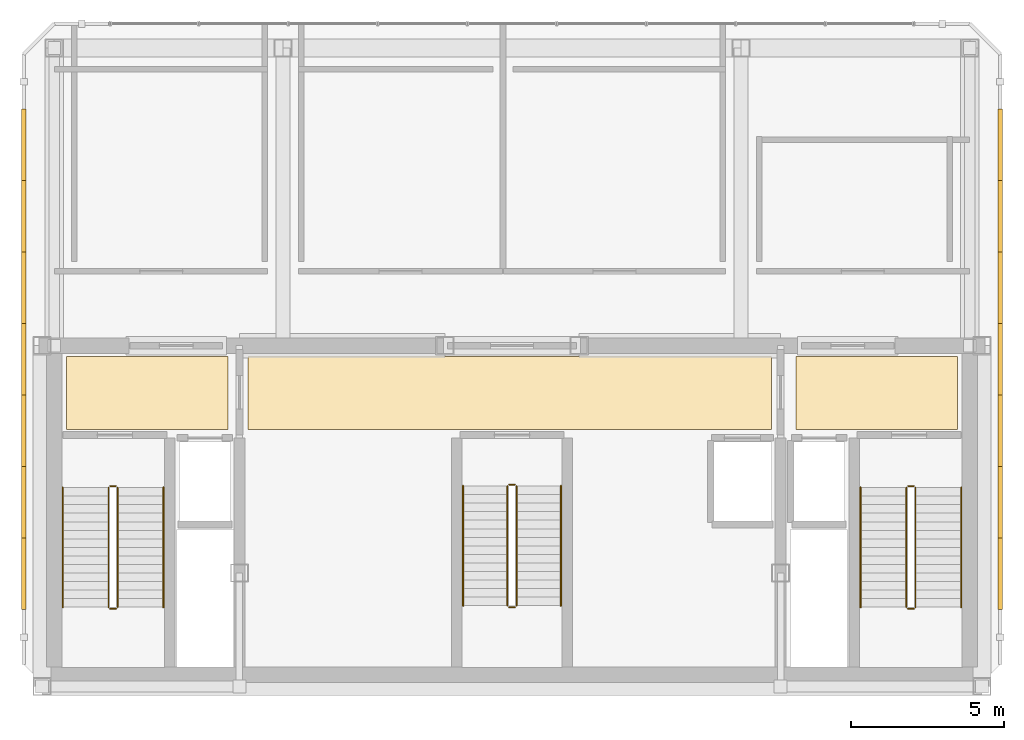
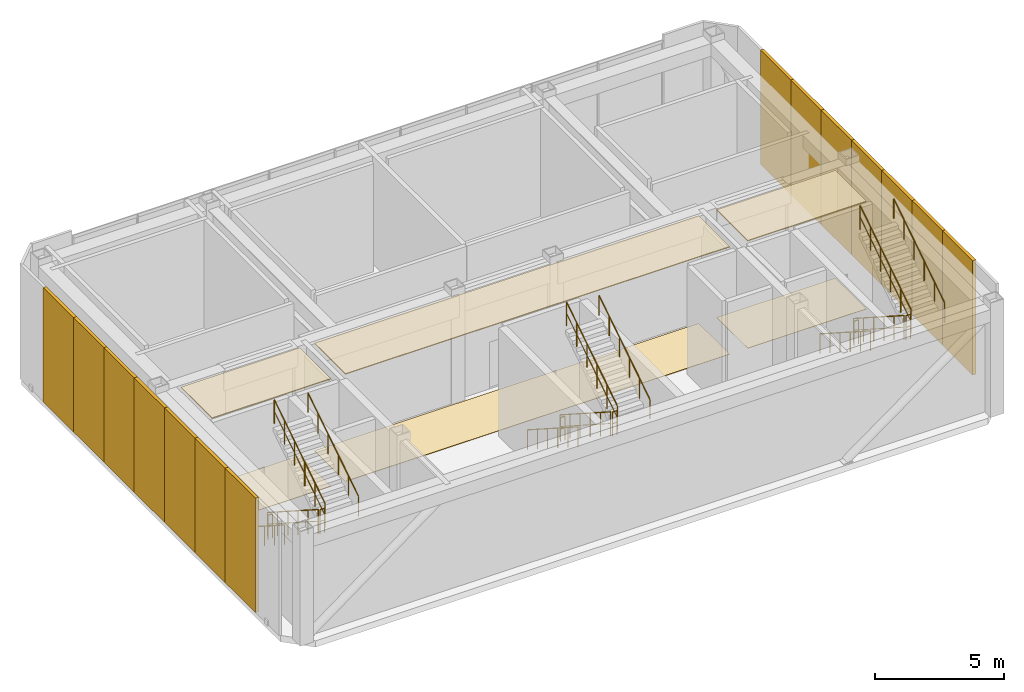
# One storey, part 9 of 9: 18 railings, 14 shading devices, 6 coverings.
"""IFC4 building model written with IfcOpenShell, lengths in metres."""

from ifc_helpers import new_model, si_unit, direction, frame, origin, origin_2d, place, context, subcontext, project, spatial, polyline, rectangle, circle, outline, extrude, material, layer, layer_set, type_object, element, save


model = new_model("IFC4")

# Units and contexts
model_context = context("Model", 3, precision=1e-05, world=origin(), true_north=direction((0.0, 1.0)))
body_context = subcontext(model_context, "Body", "Model", "MODEL_VIEW")
ifc_project = project(units=[si_unit("LENGTHUNIT", "METRE"), si_unit("AREAUNIT", "SQUARE_METRE"), si_unit("VOLUMEUNIT", "CUBIC_METRE"), si_unit("PLANEANGLEUNIT", "RADIAN"), si_unit("MASSUNIT", "GRAM", prefix="KILO")], contexts=[model_context])

# Site, building, storey
site_placement = place(None, origin())
site = spatial("IfcSite", under=ifc_project, at=site_placement, CompositionType="ELEMENT")
building_placement = place(site_placement, origin())
building = spatial("IfcBuilding", under=site, at=building_placement, Name="Ventersveld Concourse Tower", CompositionType="ELEMENT")
storey_placement = place(building_placement, frame((0.0, 0.0, 377.449951171875)))
storey = spatial("IfcBuildingStorey", under=building, at=storey_placement, Name="L92", CompositionType="ELEMENT", Elevation=377.449951171875)

# Coverings
ifc_material_1 = material(Name="Mineral-fibre acoustic ceiling tile", Category="gypsum")
ifc_layer_1 = layer(ifc_material_1, 0.0400390625)
ifc_layer_set_1 = layer_set([ifc_layer_1], Name="Mineral-fibre acoustic ceiling tile")
covering_type_1 = type_object("IfcCoveringType", Name="COV-CEIL-ACOUSTIC", PredefinedType="CEILING", material=ifc_layer_set_1)
covering_1_placement = place(storey_placement, frame((0.0, 0.0, 5.06005859375)))
element("IfcCovering", 1, at=covering_1_placement, inside=storey, type_object=covering_type_1, Name="L92 North Lift Lobby Acoustic Ceiling", PredefinedType="CEILING", context=body_context, shape_type="SweptSolid", body=[
    extrude(outline(polyline([(20.10009765625, 8.699951171875), (37.25, 8.699951171875), (37.25, 11.10009765625), (20.10009765625, 11.10009765625), (20.10009765625, 8.699951171875)])), origin(), (0.0, 0.0, 1.0), 0.0400390625),
])
covering_2_placement = place(storey_placement, frame((0.0, 0.0, 5.06005859375)))
element("IfcCovering", 2, at=covering_2_placement, inside=storey, type_object=covering_type_1, Name="L92 West Firefighting Lobby Acoustic Ceiling", PredefinedType="CEILING", context=body_context, shape_type="SweptSolid", body=[
    extrude(outline(polyline([(14.14990234375, 8.699951171875), (19.449951171875, 8.699951171875), (19.449951171875, 11.10009765625), (14.14990234375, 11.10009765625), (14.14990234375, 8.699951171875)])), origin(), (0.0, 0.0, 1.0), 0.0400390625),
])
covering_3_placement = place(storey_placement, frame((0.0, 0.0, 5.06005859375)))
element("IfcCovering", 3, at=covering_3_placement, inside=storey, type_object=covering_type_1, Name="L92 East Firefighting Lobby Acoustic Ceiling", PredefinedType="CEILING", context=body_context, shape_type="SweptSolid", body=[
    extrude(outline(polyline([(38.050048828125, 8.699951171875), (43.35009765625, 8.699951171875), (43.35009765625, 11.10009765625), (38.050048828125, 11.10009765625), (38.050048828125, 8.699951171875)])), origin(), (0.0, 0.0, 1.0), 0.0400390625),
])
ifc_material_2 = material(Name="Polished Highveld granite terrazzo", Category="masonry")
ifc_layer_2 = layer(ifc_material_2, 0.02001953125)
ifc_layer_set_2 = layer_set([ifc_layer_2], Name="Polished Highveld granite terrazzo")
covering_type_2 = type_object("IfcCoveringType", Name="COV-FLOOR-TERRAZZO", PredefinedType="FLOORING", material=ifc_layer_set_2)
covering_4_placement = place(storey_placement, origin())
element("IfcCovering", 4, at=covering_4_placement, inside=storey, type_object=covering_type_2, Name="L92 North Lift Lobby Terrazzo Flooring", PredefinedType="FLOORING", context=body_context, shape_type="SweptSolid", body=[
    extrude(outline(polyline([(20.10009765625, 8.699951171875), (37.25, 8.699951171875), (37.25, 11.10009765625), (20.10009765625, 11.10009765625), (20.10009765625, 8.699951171875)])), origin(), (0.0, 0.0, 1.0), 0.02001953125),
])
covering_5_placement = place(storey_placement, origin())
element("IfcCovering", 5, at=covering_5_placement, inside=storey, type_object=covering_type_2, Name="L92 West Firefighting Lobby Terrazzo Flooring", PredefinedType="FLOORING", context=body_context, shape_type="SweptSolid", body=[
    extrude(outline(polyline([(14.14990234375, 8.699951171875), (19.449951171875, 8.699951171875), (19.449951171875, 11.10009765625), (14.14990234375, 11.10009765625), (14.14990234375, 8.699951171875)])), origin(), (0.0, 0.0, 1.0), 0.02001953125),
])
covering_6_placement = place(storey_placement, origin())
element("IfcCovering", 6, at=covering_6_placement, inside=storey, type_object=covering_type_2, Name="L92 East Firefighting Lobby Terrazzo Flooring", PredefinedType="FLOORING", context=body_context, shape_type="SweptSolid", body=[
    extrude(outline(polyline([(38.050048828125, 8.699951171875), (43.35009765625, 8.699951171875), (43.35009765625, 11.10009765625), (38.050048828125, 11.10009765625), (38.050048828125, 8.699951171875)])), origin(), (0.0, 0.0, 1.0), 0.02001953125),
])

# Railings
ifc_material_3 = material(Name="Brushed stainless steel 316", Category="steel")
railing_type_1 = type_object("IfcRailingType", Name="GD-BAL-115", PredefinedType="GUARDRAIL", material=ifc_material_3)
railing_1_placement = place(storey_placement, frame((15.530029296875, 6.800048828125, 0.179931640625)))
element("IfcRailing", 7, at=railing_1_placement, inside=storey, type_object=railing_type_1, Name="L92 ST-01 stair guard 1", PredefinedType="GUARDRAIL", context=body_context, shape_type="SweptSolid", body=[
    extrude(circle(Radius=0.02392578125, at=origin_2d()), frame((0.0, 0.0, 1.1259765625), z_axis=(0.0, -0.841186985886, 0.540744352514), x_axis=(1.0, 0.0, 0.0)), (0.0, 0.0, 1.0), 4.660400390625),
    extrude(circle(Radius=0.01611328125, at=origin_2d()), frame((0.0, 0.0, 0.574951171875), z_axis=(0.0, -0.841186985886, 0.540744352514), x_axis=(1.0, 0.0, 0.0)), (0.0, 0.0, 1.0), 4.660400390625),
    extrude(circle(Radius=0.02099609375, at=origin_2d()), origin(), (0.0, 0.0, 1.0), 1.101806640625),
    extrude(circle(Radius=0.02099609375, at=origin_2d()), frame((0.0, -0.783935546875, 0.50390625)), (0.0, 0.0, 1.0), 1.101806640625),
    extrude(circle(Radius=0.02099609375, at=origin_2d()), frame((0.0, -1.568115234375, 1.008056640625)), (0.0, 0.0, 1.0), 1.101806640625),
    extrude(circle(Radius=0.02099609375, at=origin_2d()), frame((0.0, -2.35205078125, 1.511962890625)), (0.0, 0.0, 1.0), 1.101806640625),
    extrude(circle(Radius=0.02099609375, at=origin_2d()), frame((0.0, -3.13623046875, 2.01611328125)), (0.0, 0.0, 1.0), 1.101806640625),
    extrude(circle(Radius=0.02099609375, at=origin_2d()), frame((0.0, -3.920166015625, 2.52001953125)), (0.0, 0.0, 1.0), 1.101806640625),
])
railing_2_placement = place(storey_placement, frame((15.580078125, 2.830078125, 2.699951171875)))
element("IfcRailing", 8, at=railing_2_placement, inside=storey, type_object=railing_type_1, Name="L92 ST-01 stair guard 2", PredefinedType="GUARDRAIL", context=body_context, shape_type="SweptSolid", body=[
    extrude(circle(Radius=0.02392578125, at=origin_2d()), frame((0.0, 0.0, 1.1259765625), z_axis=(1.0, 0.0, 0.0), x_axis=(0.0, 1.0, 0.0)), (0.0, 0.0, 1.0), 0.199951171875),
    extrude(circle(Radius=0.01611328125, at=origin_2d()), frame((0.0, 0.0, 0.574951171875), z_axis=(1.0, 0.0, 0.0), x_axis=(0.0, 1.0, 0.0)), (0.0, 0.0, 1.0), 0.199951171875),
    extrude(circle(Radius=0.02099609375, at=origin_2d()), origin(), (0.0, 0.0, 1.0), 1.101806640625),
    extrude(circle(Radius=0.02099609375, at=origin_2d()), frame((0.199951171875, 0.0, 0.0)), (0.0, 0.0, 1.0), 1.101806640625),
])
railing_3_placement = place(storey_placement, frame((15.830078125, 2.8798828125, 2.880126953125)))
element("IfcRailing", 9, at=railing_3_placement, inside=storey, type_object=railing_type_1, Name="L92 ST-01 stair guard 3", PredefinedType="GUARDRAIL", context=body_context, shape_type="SweptSolid", body=[
    extrude(circle(Radius=0.02392578125, at=origin_2d()), frame((0.0, 0.0, 1.1259765625), z_axis=(0.0, 0.841186985886, 0.540744352514), x_axis=(-1.0, 0.0, 0.0)), (0.0, 0.0, 1.0), 4.660400390625),
    extrude(circle(Radius=0.01611328125, at=origin_2d()), frame((0.0, 0.0, 0.574951171875), z_axis=(0.0, 0.841186985886, 0.540744352514), x_axis=(-1.0, 0.0, 0.0)), (0.0, 0.0, 1.0), 4.660400390625),
    extrude(circle(Radius=0.02099609375, at=origin_2d()), origin(), (0.0, 0.0, 1.0), 1.101806640625),
    extrude(circle(Radius=0.02099609375, at=origin_2d()), frame((0.0, 0.783935546875, 0.50390625)), (0.0, 0.0, 1.0), 1.101806640625),
    extrude(circle(Radius=0.02099609375, at=origin_2d()), frame((0.0, 1.568115234375, 1.008056640625)), (0.0, 0.0, 1.0), 1.101806640625),
    extrude(circle(Radius=0.02099609375, at=origin_2d()), frame((0.0, 2.35205078125, 1.511962890625)), (0.0, 0.0, 1.0), 1.101806640625),
    extrude(circle(Radius=0.02099609375, at=origin_2d()), frame((0.0, 3.13623046875, 2.01611328125)), (0.0, 0.0, 1.0), 1.101806640625),
    extrude(circle(Radius=0.02099609375, at=origin_2d()), frame((0.0, 3.920166015625, 2.52001953125)), (0.0, 0.0, 1.0), 1.101806640625),
])
railing_4_placement = place(storey_placement, frame((15.580078125, 6.85009765625, 0.0)))
element("IfcRailing", 10, at=railing_4_placement, inside=storey, type_object=railing_type_1, Name="L92 ST-01 stair guard 4", PredefinedType="GUARDRAIL", context=body_context, shape_type="SweptSolid", body=[
    extrude(circle(Radius=0.02392578125, at=origin_2d()), frame((0.0, 0.0, 1.1259765625), z_axis=(1.0, 0.0, 0.0), x_axis=(0.0, 1.0, 0.0)), (0.0, 0.0, 1.0), 0.199951171875),
    extrude(circle(Radius=0.01611328125, at=origin_2d()), frame((0.0, 0.0, 0.574951171875), z_axis=(1.0, 0.0, 0.0), x_axis=(0.0, 1.0, 0.0)), (0.0, 0.0, 1.0), 0.199951171875),
    extrude(circle(Radius=0.02099609375, at=origin_2d()), origin(), (0.0, 0.0, 1.0), 1.101806640625),
    extrude(circle(Radius=0.02099609375, at=origin_2d()), frame((0.199951171875, 0.0, 0.0)), (0.0, 0.0, 1.0), 1.101806640625),
])
railing_5_placement = place(storey_placement, frame((41.669921875, 6.800048828125, 0.179931640625)))
element("IfcRailing", 11, at=railing_5_placement, inside=storey, type_object=railing_type_1, Name="L92 ST-02 stair guard 1", PredefinedType="GUARDRAIL", context=body_context, shape_type="SweptSolid", body=[
    extrude(circle(Radius=0.02392578125, at=origin_2d()), frame((0.0, 0.0, 1.1259765625), z_axis=(0.0, -0.841186985886, 0.540744352514), x_axis=(1.0, 0.0, 0.0)), (0.0, 0.0, 1.0), 4.660400390625),
    extrude(circle(Radius=0.01611328125, at=origin_2d()), frame((0.0, 0.0, 0.574951171875), z_axis=(0.0, -0.841186985886, 0.540744352514), x_axis=(1.0, 0.0, 0.0)), (0.0, 0.0, 1.0), 4.660400390625),
    extrude(circle(Radius=0.02099609375, at=origin_2d()), origin(), (0.0, 0.0, 1.0), 1.101806640625),
    extrude(circle(Radius=0.02099609375, at=origin_2d()), frame((0.0, -0.783935546875, 0.50390625)), (0.0, 0.0, 1.0), 1.101806640625),
    extrude(circle(Radius=0.02099609375, at=origin_2d()), frame((0.0, -1.568115234375, 1.008056640625)), (0.0, 0.0, 1.0), 1.101806640625),
    extrude(circle(Radius=0.02099609375, at=origin_2d()), frame((0.0, -2.35205078125, 1.511962890625)), (0.0, 0.0, 1.0), 1.101806640625),
    extrude(circle(Radius=0.02099609375, at=origin_2d()), frame((0.0, -3.13623046875, 2.01611328125)), (0.0, 0.0, 1.0), 1.101806640625),
    extrude(circle(Radius=0.02099609375, at=origin_2d()), frame((0.0, -3.920166015625, 2.52001953125)), (0.0, 0.0, 1.0), 1.101806640625),
])
railing_6_placement = place(storey_placement, frame((41.719970703125, 2.830078125, 2.699951171875)))
element("IfcRailing", 12, at=railing_6_placement, inside=storey, type_object=railing_type_1, Name="L92 ST-02 stair guard 2", PredefinedType="GUARDRAIL", context=body_context, shape_type="SweptSolid", body=[
    extrude(circle(Radius=0.02392578125, at=origin_2d()), frame((0.0, 0.0, 1.1259765625), z_axis=(1.0, 0.0, 0.0), x_axis=(0.0, 1.0, 0.0)), (0.0, 0.0, 1.0), 0.199951171875),
    extrude(circle(Radius=0.01611328125, at=origin_2d()), frame((0.0, 0.0, 0.574951171875), z_axis=(1.0, 0.0, 0.0), x_axis=(0.0, 1.0, 0.0)), (0.0, 0.0, 1.0), 0.199951171875),
    extrude(circle(Radius=0.02099609375, at=origin_2d()), origin(), (0.0, 0.0, 1.0), 1.101806640625),
    extrude(circle(Radius=0.02099609375, at=origin_2d()), frame((0.199951171875, 0.0, 0.0)), (0.0, 0.0, 1.0), 1.101806640625),
])
railing_7_placement = place(storey_placement, frame((41.969970703125, 2.8798828125, 2.880126953125)))
element("IfcRailing", 13, at=railing_7_placement, inside=storey, type_object=railing_type_1, Name="L92 ST-02 stair guard 3", PredefinedType="GUARDRAIL", context=body_context, shape_type="SweptSolid", body=[
    extrude(circle(Radius=0.02392578125, at=origin_2d()), frame((0.0, 0.0, 1.1259765625), z_axis=(0.0, 0.841186985886, 0.540744352514), x_axis=(-1.0, 0.0, 0.0)), (0.0, 0.0, 1.0), 4.660400390625),
    extrude(circle(Radius=0.01611328125, at=origin_2d()), frame((0.0, 0.0, 0.574951171875), z_axis=(0.0, 0.841186985886, 0.540744352514), x_axis=(-1.0, 0.0, 0.0)), (0.0, 0.0, 1.0), 4.660400390625),
    extrude(circle(Radius=0.02099609375, at=origin_2d()), origin(), (0.0, 0.0, 1.0), 1.101806640625),
    extrude(circle(Radius=0.02099609375, at=origin_2d()), frame((0.0, 0.783935546875, 0.50390625)), (0.0, 0.0, 1.0), 1.101806640625),
    extrude(circle(Radius=0.02099609375, at=origin_2d()), frame((0.0, 1.568115234375, 1.008056640625)), (0.0, 0.0, 1.0), 1.101806640625),
    extrude(circle(Radius=0.02099609375, at=origin_2d()), frame((0.0, 2.35205078125, 1.511962890625)), (0.0, 0.0, 1.0), 1.101806640625),
    extrude(circle(Radius=0.02099609375, at=origin_2d()), frame((0.0, 3.13623046875, 2.01611328125)), (0.0, 0.0, 1.0), 1.101806640625),
    extrude(circle(Radius=0.02099609375, at=origin_2d()), frame((0.0, 3.920166015625, 2.52001953125)), (0.0, 0.0, 1.0), 1.101806640625),
])
railing_8_placement = place(storey_placement, frame((41.719970703125, 6.85009765625, 0.0)))
element("IfcRailing", 14, at=railing_8_placement, inside=storey, type_object=railing_type_1, Name="L92 ST-02 stair guard 4", PredefinedType="GUARDRAIL", context=body_context, shape_type="SweptSolid", body=[
    extrude(circle(Radius=0.02392578125, at=origin_2d()), frame((0.0, 0.0, 1.1259765625), z_axis=(1.0, 0.0, 0.0), x_axis=(0.0, 1.0, 0.0)), (0.0, 0.0, 1.0), 0.199951171875),
    extrude(circle(Radius=0.01611328125, at=origin_2d()), frame((0.0, 0.0, 0.574951171875), z_axis=(1.0, 0.0, 0.0), x_axis=(0.0, 1.0, 0.0)), (0.0, 0.0, 1.0), 0.199951171875),
    extrude(circle(Radius=0.02099609375, at=origin_2d()), origin(), (0.0, 0.0, 1.0), 1.101806640625),
    extrude(circle(Radius=0.02099609375, at=origin_2d()), frame((0.199951171875, 0.0, 0.0)), (0.0, 0.0, 1.0), 1.101806640625),
])
railing_9_placement = place(storey_placement, frame((28.60009765625, 6.85009765625, 0.179931640625)))
element("IfcRailing", 15, at=railing_9_placement, inside=storey, type_object=railing_type_1, Name="L92 ST-03 stair guard 1", PredefinedType="GUARDRAIL", context=body_context, shape_type="SweptSolid", body=[
    extrude(circle(Radius=0.02392578125, at=origin_2d()), frame((0.0, 0.0, 1.1259765625), z_axis=(0.0, -0.841186985886, 0.540744352514), x_axis=(1.0, 0.0, 0.0)), (0.0, 0.0, 1.0), 4.660400390625),
    extrude(circle(Radius=0.01611328125, at=origin_2d()), frame((0.0, 0.0, 0.574951171875), z_axis=(0.0, -0.841186985886, 0.540744352514), x_axis=(1.0, 0.0, 0.0)), (0.0, 0.0, 1.0), 4.660400390625),
    extrude(circle(Radius=0.02099609375, at=origin_2d()), origin(), (0.0, 0.0, 1.0), 1.101806640625),
    extrude(circle(Radius=0.02099609375, at=origin_2d()), frame((0.0, -0.783935546875, 0.50390625)), (0.0, 0.0, 1.0), 1.101806640625),
    extrude(circle(Radius=0.02099609375, at=origin_2d()), frame((0.0, -1.568115234375, 1.008056640625)), (0.0, 0.0, 1.0), 1.101806640625),
    extrude(circle(Radius=0.02099609375, at=origin_2d()), frame((0.0, -2.35205078125, 1.511962890625)), (0.0, 0.0, 1.0), 1.101806640625),
    extrude(circle(Radius=0.02099609375, at=origin_2d()), frame((0.0, -3.13623046875, 2.01611328125)), (0.0, 0.0, 1.0), 1.101806640625),
    extrude(circle(Radius=0.02099609375, at=origin_2d()), frame((0.0, -3.920166015625, 2.52001953125)), (0.0, 0.0, 1.0), 1.101806640625),
])
railing_10_placement = place(storey_placement, frame((28.64990234375, 2.8798828125, 2.699951171875)))
element("IfcRailing", 16, at=railing_10_placement, inside=storey, type_object=railing_type_1, Name="L92 ST-03 stair guard 2", PredefinedType="GUARDRAIL", context=body_context, shape_type="SweptSolid", body=[
    extrude(circle(Radius=0.02392578125, at=origin_2d()), frame((0.0, 0.0, 1.1259765625), z_axis=(1.0, 0.0, 0.0), x_axis=(0.0, 1.0, 0.0)), (0.0, 0.0, 1.0), 0.2001953125),
    extrude(circle(Radius=0.01611328125, at=origin_2d()), frame((0.0, 0.0, 0.574951171875), z_axis=(1.0, 0.0, 0.0), x_axis=(0.0, 1.0, 0.0)), (0.0, 0.0, 1.0), 0.2001953125),
    extrude(circle(Radius=0.02099609375, at=origin_2d()), origin(), (0.0, 0.0, 1.0), 1.101806640625),
    extrude(circle(Radius=0.02099609375, at=origin_2d()), frame((0.2001953125, 0.0, 0.0)), (0.0, 0.0, 1.0), 1.101806640625),
])
railing_11_placement = place(storey_placement, frame((28.89990234375, 2.929931640625, 2.880126953125)))
element("IfcRailing", 17, at=railing_11_placement, inside=storey, type_object=railing_type_1, Name="L92 ST-03 stair guard 3", PredefinedType="GUARDRAIL", context=body_context, shape_type="SweptSolid", body=[
    extrude(circle(Radius=0.02392578125, at=origin_2d()), frame((0.0, 0.0, 1.1259765625), z_axis=(0.0, 0.841186985886, 0.540744352514), x_axis=(-1.0, 0.0, 0.0)), (0.0, 0.0, 1.0), 4.660400390625),
    extrude(circle(Radius=0.01611328125, at=origin_2d()), frame((0.0, 0.0, 0.574951171875), z_axis=(0.0, 0.841186985886, 0.540744352514), x_axis=(-1.0, 0.0, 0.0)), (0.0, 0.0, 1.0), 4.660400390625),
    extrude(circle(Radius=0.02099609375, at=origin_2d()), origin(), (0.0, 0.0, 1.0), 1.101806640625),
    extrude(circle(Radius=0.02099609375, at=origin_2d()), frame((0.0, 0.783935546875, 0.50390625)), (0.0, 0.0, 1.0), 1.101806640625),
    extrude(circle(Radius=0.02099609375, at=origin_2d()), frame((0.0, 1.568115234375, 1.008056640625)), (0.0, 0.0, 1.0), 1.101806640625),
    extrude(circle(Radius=0.02099609375, at=origin_2d()), frame((0.0, 2.35205078125, 1.511962890625)), (0.0, 0.0, 1.0), 1.101806640625),
    extrude(circle(Radius=0.02099609375, at=origin_2d()), frame((0.0, 3.13623046875, 2.01611328125)), (0.0, 0.0, 1.0), 1.101806640625),
    extrude(circle(Radius=0.02099609375, at=origin_2d()), frame((0.0, 3.920166015625, 2.52001953125)), (0.0, 0.0, 1.0), 1.101806640625),
])
railing_12_placement = place(storey_placement, frame((28.64990234375, 6.89990234375, 0.0)))
element("IfcRailing", 18, at=railing_12_placement, inside=storey, type_object=railing_type_1, Name="L92 ST-03 stair guard 4", PredefinedType="GUARDRAIL", context=body_context, shape_type="SweptSolid", body=[
    extrude(circle(Radius=0.02392578125, at=origin_2d()), frame((0.0, 0.0, 1.1259765625), z_axis=(1.0, 0.0, 0.0), x_axis=(0.0, 1.0, 0.0)), (0.0, 0.0, 1.0), 0.2001953125),
    extrude(circle(Radius=0.01611328125, at=origin_2d()), frame((0.0, 0.0, 0.574951171875), z_axis=(1.0, 0.0, 0.0), x_axis=(0.0, 1.0, 0.0)), (0.0, 0.0, 1.0), 0.2001953125),
    extrude(circle(Radius=0.02099609375, at=origin_2d()), origin(), (0.0, 0.0, 1.0), 1.101806640625),
    extrude(circle(Radius=0.02099609375, at=origin_2d()), frame((0.2001953125, 0.0, 0.0)), (0.0, 0.0, 1.0), 1.101806640625),
])
railing_type_2 = type_object("IfcRailingType", Name="HR-RMP-095", PredefinedType="HANDRAIL", material=ifc_material_3)
railing_13_placement = place(storey_placement, frame((14.030029296875, 6.800048828125, 0.179931640625)))
element("IfcRailing", 19, at=railing_13_placement, inside=storey, type_object=railing_type_2, Name="L92 ST-01 stair handrail 1", PredefinedType="HANDRAIL", context=body_context, shape_type="SweptSolid", body=[
    extrude(circle(Radius=0.02392578125, at=origin_2d()), frame((0.0, 0.0, 0.92578125), z_axis=(0.0, -0.841186985886, 0.540744352514), x_axis=(1.0, 0.0, 0.0)), (0.0, 0.0, 1.0), 4.660400390625),
    extrude(circle(Radius=0.02099609375, at=origin_2d()), origin(), (0.0, 0.0, 1.0), 0.90185546875),
    extrude(circle(Radius=0.02099609375, at=origin_2d()), frame((0.0, -0.783935546875, 0.50390625)), (0.0, 0.0, 1.0), 0.90185546875),
    extrude(circle(Radius=0.02099609375, at=origin_2d()), frame((0.0, -1.568115234375, 1.008056640625)), (0.0, 0.0, 1.0), 0.90185546875),
    extrude(circle(Radius=0.02099609375, at=origin_2d()), frame((0.0, -2.35205078125, 1.511962890625)), (0.0, 0.0, 1.0), 0.90185546875),
    extrude(circle(Radius=0.02099609375, at=origin_2d()), frame((0.0, -3.13623046875, 2.01611328125)), (0.0, 0.0, 1.0), 0.90185546875),
    extrude(circle(Radius=0.02099609375, at=origin_2d()), frame((0.0, -3.920166015625, 2.52001953125)), (0.0, 0.0, 1.0), 0.90185546875),
])
railing_14_placement = place(storey_placement, frame((17.330078125, 2.8798828125, 2.880126953125)))
element("IfcRailing", 20, at=railing_14_placement, inside=storey, type_object=railing_type_2, Name="L92 ST-01 stair handrail 2", PredefinedType="HANDRAIL", context=body_context, shape_type="SweptSolid", body=[
    extrude(circle(Radius=0.02392578125, at=origin_2d()), frame((0.0, 0.0, 0.92578125), z_axis=(0.0, 0.841186985886, 0.540744352514), x_axis=(-1.0, 0.0, 0.0)), (0.0, 0.0, 1.0), 4.660400390625),
    extrude(circle(Radius=0.02099609375, at=origin_2d()), origin(), (0.0, 0.0, 1.0), 0.90185546875),
    extrude(circle(Radius=0.02099609375, at=origin_2d()), frame((0.0, 0.783935546875, 0.50390625)), (0.0, 0.0, 1.0), 0.90185546875),
    extrude(circle(Radius=0.02099609375, at=origin_2d()), frame((0.0, 1.568115234375, 1.008056640625)), (0.0, 0.0, 1.0), 0.90185546875),
    extrude(circle(Radius=0.02099609375, at=origin_2d()), frame((0.0, 2.35205078125, 1.511962890625)), (0.0, 0.0, 1.0), 0.90185546875),
    extrude(circle(Radius=0.02099609375, at=origin_2d()), frame((0.0, 3.13623046875, 2.01611328125)), (0.0, 0.0, 1.0), 0.90185546875),
    extrude(circle(Radius=0.02099609375, at=origin_2d()), frame((0.0, 3.920166015625, 2.52001953125)), (0.0, 0.0, 1.0), 0.90185546875),
])
railing_15_placement = place(storey_placement, frame((40.169921875, 6.800048828125, 0.179931640625)))
element("IfcRailing", 21, at=railing_15_placement, inside=storey, type_object=railing_type_2, Name="L92 ST-02 stair handrail 1", PredefinedType="HANDRAIL", context=body_context, shape_type="SweptSolid", body=[
    extrude(circle(Radius=0.02392578125, at=origin_2d()), frame((0.0, 0.0, 0.92578125), z_axis=(0.0, -0.841186985886, 0.540744352514), x_axis=(1.0, 0.0, 0.0)), (0.0, 0.0, 1.0), 4.660400390625),
    extrude(circle(Radius=0.02099609375, at=origin_2d()), origin(), (0.0, 0.0, 1.0), 0.90185546875),
    extrude(circle(Radius=0.02099609375, at=origin_2d()), frame((0.0, -0.783935546875, 0.50390625)), (0.0, 0.0, 1.0), 0.90185546875),
    extrude(circle(Radius=0.02099609375, at=origin_2d()), frame((0.0, -1.568115234375, 1.008056640625)), (0.0, 0.0, 1.0), 0.90185546875),
    extrude(circle(Radius=0.02099609375, at=origin_2d()), frame((0.0, -2.35205078125, 1.511962890625)), (0.0, 0.0, 1.0), 0.90185546875),
    extrude(circle(Radius=0.02099609375, at=origin_2d()), frame((0.0, -3.13623046875, 2.01611328125)), (0.0, 0.0, 1.0), 0.90185546875),
    extrude(circle(Radius=0.02099609375, at=origin_2d()), frame((0.0, -3.920166015625, 2.52001953125)), (0.0, 0.0, 1.0), 0.90185546875),
])
railing_16_placement = place(storey_placement, frame((43.469970703125, 2.8798828125, 2.880126953125)))
element("IfcRailing", 22, at=railing_16_placement, inside=storey, type_object=railing_type_2, Name="L92 ST-02 stair handrail 2", PredefinedType="HANDRAIL", context=body_context, shape_type="SweptSolid", body=[
    extrude(circle(Radius=0.02392578125, at=origin_2d()), frame((0.0, 0.0, 0.92578125), z_axis=(0.0, 0.841186985886, 0.540744352514), x_axis=(-1.0, 0.0, 0.0)), (0.0, 0.0, 1.0), 4.660400390625),
    extrude(circle(Radius=0.02099609375, at=origin_2d()), origin(), (0.0, 0.0, 1.0), 0.90185546875),
    extrude(circle(Radius=0.02099609375, at=origin_2d()), frame((0.0, 0.783935546875, 0.50390625)), (0.0, 0.0, 1.0), 0.90185546875),
    extrude(circle(Radius=0.02099609375, at=origin_2d()), frame((0.0, 1.568115234375, 1.008056640625)), (0.0, 0.0, 1.0), 0.90185546875),
    extrude(circle(Radius=0.02099609375, at=origin_2d()), frame((0.0, 2.35205078125, 1.511962890625)), (0.0, 0.0, 1.0), 0.90185546875),
    extrude(circle(Radius=0.02099609375, at=origin_2d()), frame((0.0, 3.13623046875, 2.01611328125)), (0.0, 0.0, 1.0), 0.90185546875),
    extrude(circle(Radius=0.02099609375, at=origin_2d()), frame((0.0, 3.920166015625, 2.52001953125)), (0.0, 0.0, 1.0), 0.90185546875),
])
railing_17_placement = place(storey_placement, frame((27.14990234375, 6.85009765625, 0.179931640625)))
element("IfcRailing", 23, at=railing_17_placement, inside=storey, type_object=railing_type_2, Name="L92 ST-03 stair handrail 1", PredefinedType="HANDRAIL", context=body_context, shape_type="SweptSolid", body=[
    extrude(circle(Radius=0.02392578125, at=origin_2d()), frame((0.0, 0.0, 0.92578125), z_axis=(0.0, -0.841186985886, 0.540744352514), x_axis=(1.0, 0.0, 0.0)), (0.0, 0.0, 1.0), 4.660400390625),
    extrude(circle(Radius=0.02099609375, at=origin_2d()), origin(), (0.0, 0.0, 1.0), 0.90185546875),
    extrude(circle(Radius=0.02099609375, at=origin_2d()), frame((0.0, -0.783935546875, 0.50390625)), (0.0, 0.0, 1.0), 0.90185546875),
    extrude(circle(Radius=0.02099609375, at=origin_2d()), frame((0.0, -1.568115234375, 1.008056640625)), (0.0, 0.0, 1.0), 0.90185546875),
    extrude(circle(Radius=0.02099609375, at=origin_2d()), frame((0.0, -2.35205078125, 1.511962890625)), (0.0, 0.0, 1.0), 0.90185546875),
    extrude(circle(Radius=0.02099609375, at=origin_2d()), frame((0.0, -3.13623046875, 2.01611328125)), (0.0, 0.0, 1.0), 0.90185546875),
    extrude(circle(Radius=0.02099609375, at=origin_2d()), frame((0.0, -3.920166015625, 2.52001953125)), (0.0, 0.0, 1.0), 0.90185546875),
])
railing_18_placement = place(storey_placement, frame((30.35009765625, 2.929931640625, 2.880126953125)))
element("IfcRailing", 24, at=railing_18_placement, inside=storey, type_object=railing_type_2, Name="L92 ST-03 stair handrail 2", PredefinedType="HANDRAIL", context=body_context, shape_type="SweptSolid", body=[
    extrude(circle(Radius=0.02392578125, at=origin_2d()), frame((0.0, 0.0, 0.92578125), z_axis=(0.0, 0.841186985886, 0.540744352514), x_axis=(-1.0, 0.0, 0.0)), (0.0, 0.0, 1.0), 4.660400390625),
    extrude(circle(Radius=0.02099609375, at=origin_2d()), origin(), (0.0, 0.0, 1.0), 0.90185546875),
    extrude(circle(Radius=0.02099609375, at=origin_2d()), frame((0.0, 0.783935546875, 0.50390625)), (0.0, 0.0, 1.0), 0.90185546875),
    extrude(circle(Radius=0.02099609375, at=origin_2d()), frame((0.0, 1.568115234375, 1.008056640625)), (0.0, 0.0, 1.0), 0.90185546875),
    extrude(circle(Radius=0.02099609375, at=origin_2d()), frame((0.0, 2.35205078125, 1.511962890625)), (0.0, 0.0, 1.0), 0.90185546875),
    extrude(circle(Radius=0.02099609375, at=origin_2d()), frame((0.0, 3.13623046875, 2.01611328125)), (0.0, 0.0, 1.0), 0.90185546875),
    extrude(circle(Radius=0.02099609375, at=origin_2d()), frame((0.0, 3.920166015625, 2.52001953125)), (0.0, 0.0, 1.0), 0.90185546875),
])

# Shading devices
ifc_material_4 = material(Name="Anodised aluminium EN AW-6063-T6", Category="aluminium")
shading_device_type = type_object("IfcShadingDeviceType", Name="SHD-SCREEN-CROWN", PredefinedType="JALOUSIE", material=ifc_material_4)
for number, where, z_axis, x_axis, name in (
    (25, (44.75, 3.971435546875, 0.0), (0.0, 0.0, 1.0), (0.0, 1.0, 0.0), "L92 Crown Acoustic Louvre SCREEN E3-C1"),
    (26, (44.75, 6.314453125, 0.0), (0.0, 0.0, 1.0), (0.0, 1.0, 0.0), "L92 Crown Acoustic Louvre SCREEN E3-C2"),
    (27, (44.75, 8.6572265625, 0.0), (0.0, 0.0, 1.0), (0.0, 1.0, 0.0), "L92 Crown Acoustic Louvre SCREEN E3-C3"),
    (28, (44.75, 11.000244140625, 0.0), (0.0, 0.0, 1.0), (0.0, 1.0, 0.0), "L92 Crown Acoustic Louvre SCREEN E3-C4"),
    (29, (44.75, 13.343017578125, 0.0), (0.0, 0.0, 1.0), (0.0, 1.0, 0.0), "L92 Crown Acoustic Louvre SCREEN E3-C5"),
    (30, (44.75, 15.68603515625, 0.0), (0.0, 0.0, 1.0), (0.0, 1.0, 0.0), "L92 Crown Acoustic Louvre SCREEN E3-C6"),
    (31, (44.75, 18.02880859375, 0.0), (0.0, 0.0, 1.0), (0.0, 1.0, 0.0), "L92 Crown Acoustic Louvre SCREEN E3-C7"),
    (32, (12.75, 18.028564453125, 0.0), (0.0, 0.0, 1.0), (0.0, -1.0, 0.0), "L92 Crown Acoustic Louvre SCREEN E7-C1"),
    (33, (12.75, 15.685546875, 0.0), (0.0, 0.0, 1.0), (0.0, -1.0, 0.0), "L92 Crown Acoustic Louvre SCREEN E7-C2"),
    (34, (12.75, 13.3427734375, 0.0), (0.0, 0.0, 1.0), (0.0, -1.0, 0.0), "L92 Crown Acoustic Louvre SCREEN E7-C3"),
    (35, (12.75, 10.999755859375, 0.0), (0.0, 0.0, 1.0), (0.0, -1.0, 0.0), "L92 Crown Acoustic Louvre SCREEN E7-C4"),
    (36, (12.75, 8.656982421875, 0.0), (0.0, 0.0, 1.0), (0.0, -1.0, 0.0), "L92 Crown Acoustic Louvre SCREEN E7-C5"),
    (37, (12.75, 6.31396484375, 0.0), (0.0, 0.0, 1.0), (0.0, -1.0, 0.0), "L92 Crown Acoustic Louvre SCREEN E7-C6"),
    (38, (12.75, 3.97119140625, 0.0), (0.0, 0.0, 1.0), (0.0, -1.0, 0.0), "L92 Crown Acoustic Louvre SCREEN E7-C7"),
):
    element("IfcShadingDevice", number, at=place(storey_placement, frame(where, z_axis=z_axis, x_axis=x_axis)), inside=storey, type_object=shading_device_type, Name=name, PredefinedType="JALOUSIE", context=body_context, shape_type="SweptSolid", body=[
        extrude(rectangle(XDim=2.343017578125, YDim=0.139892578125, at=origin_2d()), origin(), (0.0, 0.0, 1.0), 5.39990234375),
    ])

save(model, "model.ifc")
